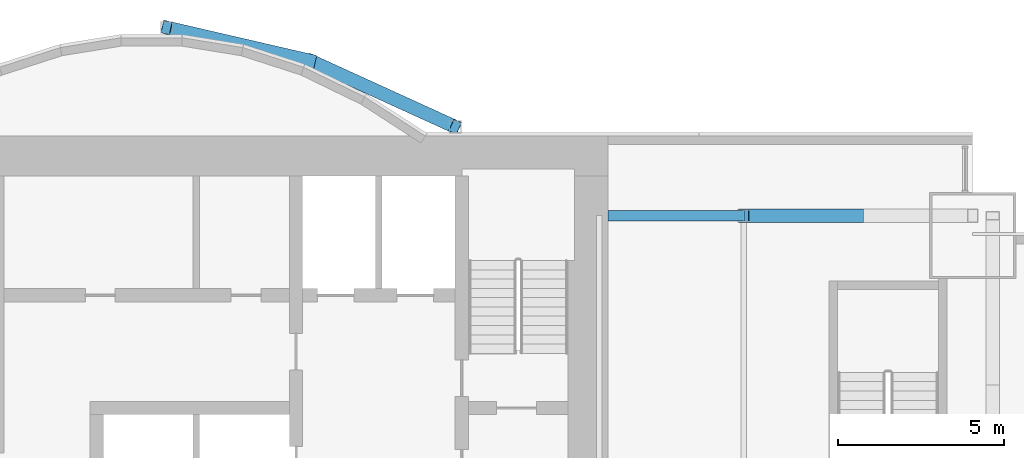
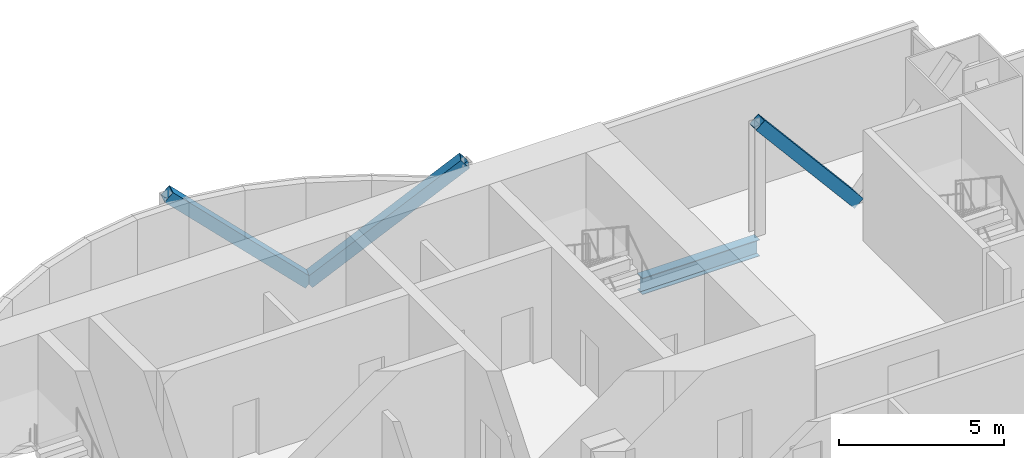
# One storey, part 11 of 20: 3 members, 1 beam.
"""IFC4 building model written with IfcOpenShell, lengths in metres."""

from ifc_helpers import new_model, si_unit, direction, frame, origin, origin_2d, place, context, subcontext, project, spatial, hollow_rectangle, i_section, extrude, material, material_profile, profile_set, type_object, element, save


model = new_model("IFC4")

# Units and contexts
model_context = context("Model", 3, precision=1e-05, world=origin(), true_north=direction((0.0, 1.0)))
body_context = subcontext(model_context, "Body", "Model", "MODEL_VIEW")
ifc_project = project(units=[si_unit("LENGTHUNIT", "METRE"), si_unit("AREAUNIT", "SQUARE_METRE"), si_unit("VOLUMEUNIT", "CUBIC_METRE"), si_unit("PLANEANGLEUNIT", "RADIAN"), si_unit("MASSUNIT", "GRAM", prefix="KILO")], contexts=[model_context])

# Site, building, storey
site_placement = place(None, origin())
site = spatial("IfcSite", under=ifc_project, at=site_placement, CompositionType="ELEMENT")
building_placement = place(site_placement, origin())
building = spatial("IfcBuilding", under=site, at=building_placement, Name="Bicima Exchange Tower", CompositionType="ELEMENT")
storey_placement = place(building_placement, frame((0.0, 0.0, 207.300048828125)))
storey = spatial("IfcBuildingStorey", under=building, at=storey_placement, Name="L46", CompositionType="ELEMENT", Elevation=207.300048828125)

# Members
ifc_material_1 = material(Name="Steel ASTM A572 Gr 50", Category="steel")
ifc_material_profile_1 = material_profile(ifc_material_1, hollow_rectangle(XDim=0.406494140625, YDim=0.406494140625, WallThickness=0.0146484375, at=origin_2d()))
ifc_profile_set_1 = profile_set([ifc_material_profile_1], Name="Steel ASTM A572 Gr 50")
member_type = type_object("IfcMemberType", Name="Mega brace HSS16x16x5/8", PredefinedType="BRACE", material=ifc_profile_set_1)
member_1_placement = place(storey_placement, frame((13.050048828125, 2.262451171875, 0.0), z_axis=(0.690646390594, -0.3150684101, 0.650952732629), x_axis=(0.415045223819, 0.909800781592, 0.0)))
element("IfcMember", 1, at=member_1_placement, inside=storey, type_object=member_type, Name="Mega brace rexo", PredefinedType="BRACE", context=body_context, shape_type="SweptSolid", body=[
    extrude(hollow_rectangle(XDim=0.406494140625, YDim=0.406494140625, WallThickness=0.0146484375, at=origin_2d()), origin(), (0.0, 0.0, 1.0), 6.29833984375),
])
member_2_placement = place(storey_placement, frame((13.050048828125, 2.262451171875, 0.0), z_axis=(-0.717625168184, 0.166055032463, 0.676342993002), x_axis=(-0.225438503722, -0.974257399787, 0.0)))
element("IfcMember", 2, at=member_2_placement, inside=storey, type_object=member_type, Name="Mega brace rexo", PredefinedType="BRACE", context=body_context, shape_type="SweptSolid", body=[
    extrude(hollow_rectangle(XDim=0.406494140625, YDim=0.406494140625, WallThickness=0.0146484375, at=origin_2d()), origin(), (0.0, 0.0, 1.0), 6.061767578125),
])
member_3_placement = place(storey_placement, frame((29.550048828125, -2.39990234375, 0.0), z_axis=(-0.643856488545, 0.0, 0.765146275008), x_axis=(0.0, -1.0, 0.0)))
element("IfcMember", 3, at=member_3_placement, inside=storey, type_object=member_type, Name="Mega brace rear", PredefinedType="BRACE", context=body_context, shape_type="SweptSolid", body=[
    extrude(hollow_rectangle(XDim=0.406494140625, YDim=0.406494140625, WallThickness=0.0146484375, at=origin_2d()), origin(), (0.0, 0.0, 1.0), 5.358154296875),
])

# Beam
ifc_material_2 = material(Name="Steel ASTM A992 Gr 50", Category="steel")
ifc_material_profile_2 = material_profile(ifc_material_2, i_section(OverallWidth=0.3251953125, OverallDepth=0.612060546875, WebThickness=0.0126953125, FlangeThickness=0.01904296875, at=origin_2d()))
ifc_profile_set_2 = profile_set([ifc_material_profile_2], Name="Steel ASTM A992 Gr 50")
beam_type = type_object("IfcBeamType", Name="Rear girder W24x104", PredefinedType="BEAM", material=ifc_profile_set_2)
beam_placement = place(storey_placement, frame((22.0, -2.39990234375, -0.4560546875), z_axis=(1.0, 0.0, 0.0), x_axis=(0.0, 1.0, 0.0)))
element("IfcBeam", 4, at=beam_placement, inside=storey, type_object=beam_type, Name="Rear girder", PredefinedType="BEAM", context=body_context, shape_type="SweptSolid", body=[
    extrude(i_section(OverallWidth=0.3251953125, OverallDepth=0.612060546875, WebThickness=0.0126953125, FlangeThickness=0.01904296875, at=origin_2d()), origin(), (0.0, 0.0, 1.0), 4.10009765625),
])

save(model, "model.ifc")
